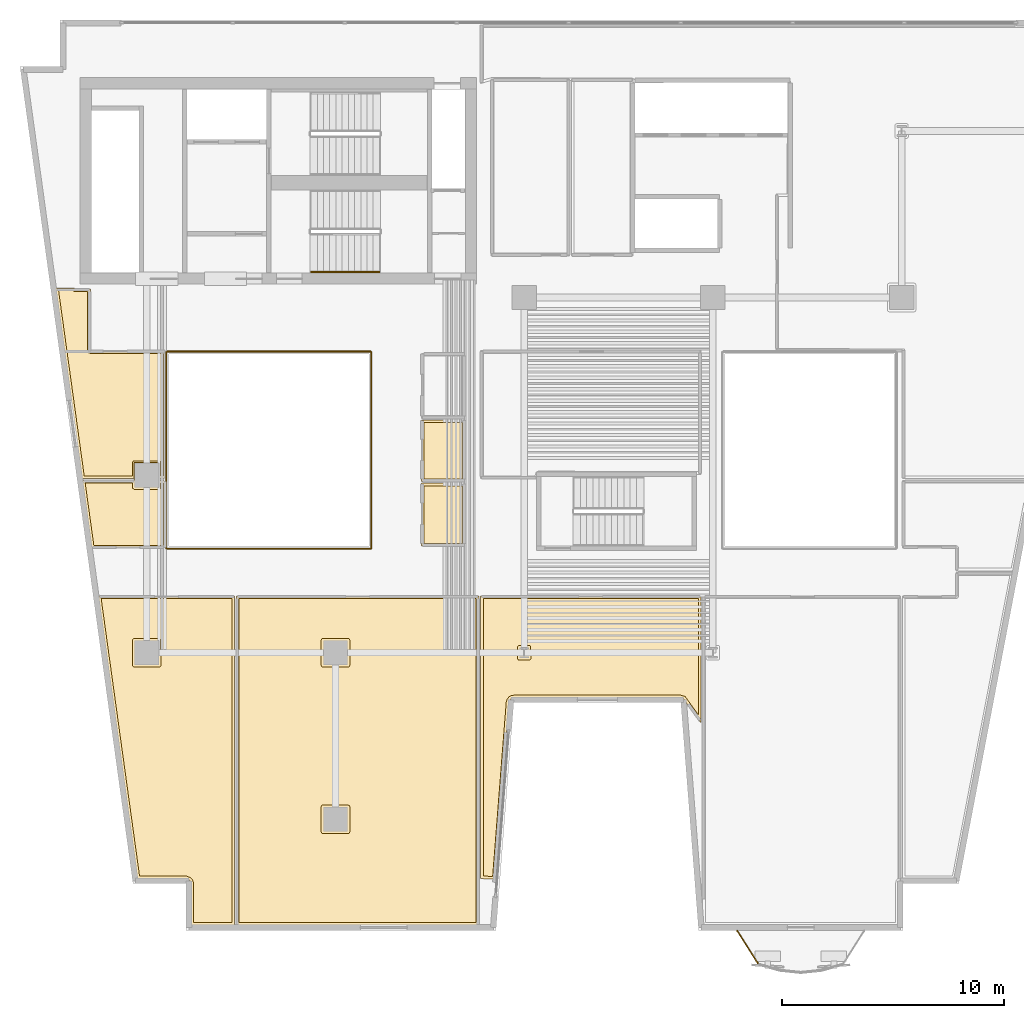
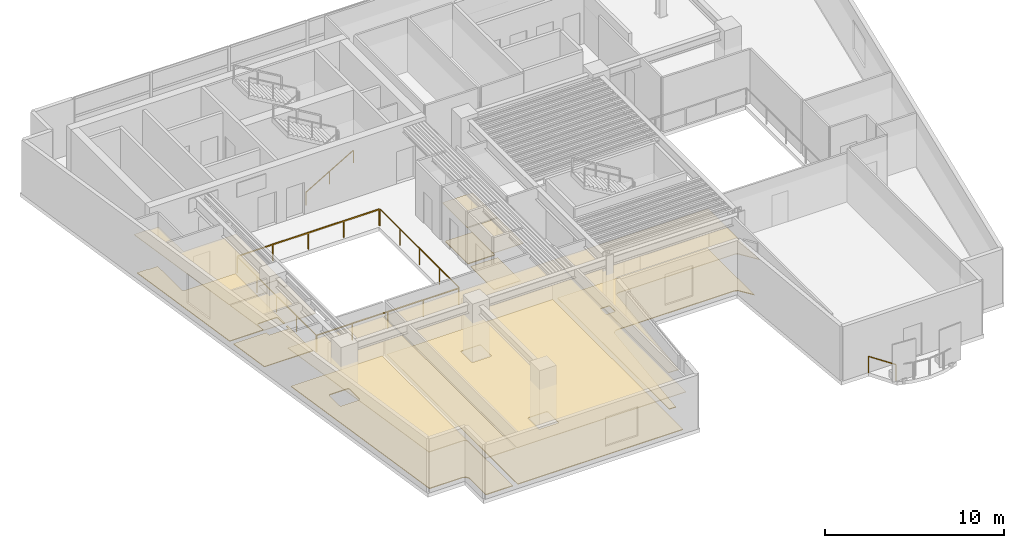
# One storey, part 9 of 13: 14 coverings, 6 railings.
"""IFC4 building model written with IfcOpenShell, lengths in metres."""

from ifc_helpers import new_model, si_unit, direction, frame, origin, origin_2d, place, context, subcontext, project, spatial, polyline, rectangle, outline, extrude, material, layer, layer_set, type_object, element, save


model = new_model("IFC4")

# Units and contexts
model_context = context("Model", 3, precision=1e-05, world=origin(), true_north=direction((0.0, 1.0)))
body_context = subcontext(model_context, "Body", "Model", "MODEL_VIEW")
ifc_project = project(units=[si_unit("LENGTHUNIT", "METRE"), si_unit("AREAUNIT", "SQUARE_METRE"), si_unit("VOLUMEUNIT", "CUBIC_METRE"), si_unit("PLANEANGLEUNIT", "RADIAN"), si_unit("MASSUNIT", "GRAM", prefix="KILO")], contexts=[model_context])

# Site, building, storey
site_placement = place(None, origin())
site = spatial("IfcSite", under=ifc_project, at=site_placement, CompositionType="ELEMENT")
building_placement = place(site_placement, origin())
building = spatial("IfcBuilding", under=site, at=building_placement, Name="Caeloran Harvest Quay", CompositionType="ELEMENT")
storey_placement = place(building_placement, frame((0.0, 0.0, 127.199951171875)))
storey = spatial("IfcBuildingStorey", under=building, at=storey_placement, Name="L29", CompositionType="ELEMENT", Elevation=127.199951171875)

# Coverings
ifc_material_1 = material(Name="Perforated Mineral-Fibre Acoustic Ceiling Tile", Category="ceiling")
ifc_layer_1 = layer(ifc_material_1, 0.0400390625, Name="Perforated Mineral-Fibre Acoustic Ceiling Tile")
ifc_layer_set_1 = layer_set([ifc_layer_1], Name="Perforated Mineral-Fibre Acoustic Ceiling Tile")
covering_type_1 = type_object("IfcCoveringType", Name="COV-CEILING-ACOUSTIC", PredefinedType="CEILING", material=ifc_layer_set_1)
covering_1_placement = place(storey_placement, frame((0.0, 0.0, 2.60009765625)))
element("IfcCovering", 1, at=covering_1_placement, inside=storey, type_object=covering_type_1, Name="L29 Female Washroom WC Acoustic Ceiling", PredefinedType="CEILING", context=body_context, shape_type="SweptSolid", body=[
    extrude(outline(polyline([(22.840087890625, 22.7099609375), (20.8701171875, 22.7099609375), (20.8701171875, 25.489990234375), (22.840087890625, 25.489990234375), (22.840087890625, 22.7099609375)])), origin(), (0.0, 0.0, 1.0), 0.0400390625),
])
covering_2_placement = place(storey_placement, frame((0.0, 0.0, 2.60009765625)))
element("IfcCovering", 2, at=covering_2_placement, inside=storey, type_object=covering_type_1, Name="L29 Accessible Unisex Washroom WC Acoustic Ceiling", PredefinedType="CEILING", context=body_context, shape_type="SweptSolid", body=[
    extrude(outline(polyline([(22.840087890625, 19.81005859375), (20.8701171875, 19.81005859375), (20.8701171875, 22.639892578125), (22.840087890625, 22.639892578125), (22.840087890625, 19.81005859375)])), origin(), (0.0, 0.0, 1.0), 0.0400390625),
])
covering_3_placement = place(storey_placement, frame((0.0, 0.0, 2.60009765625)))
element("IfcCovering", 3, at=covering_3_placement, inside=storey, type_object=covering_type_1, Name="Precision Agriculture Engineering Office Acoustic Ceiling", PredefinedType="CEILING", context=body_context, shape_type="SweptSolid", body=[
    extrude(outline(polyline([(23.4599609375, 2.719970703125), (12.5400390625, 2.719970703125), (12.5400390625, 17.56005859375), (23.4599609375, 17.56005859375), (23.4599609375, 2.719970703125)])), origin(), (0.0, 0.0, 1.0), 0.0400390625),
])
covering_4_placement = place(storey_placement, frame((0.0, 0.0, 2.60009765625)))
element("IfcCovering", 4, at=covering_4_placement, inside=storey, type_object=covering_type_1, Name="Drone Telemetry Computing Office Acoustic Ceiling", PredefinedType="CEILING", context=body_context, shape_type="SweptSolid", body=[
    extrude(outline(polyline([(10.464111328125, 4.70361328125), (10.373779296875, 4.7939453125), (10.26904296875, 4.820068359375), (8.0712890625, 4.820068359375), (6.309326171875, 17.56005859375), (12.4599609375, 17.56005859375), (12.4599609375, 2.719970703125), (10.489990234375, 2.719970703125), (10.489990234375, 4.59912109375), (10.464111328125, 4.70361328125)])), origin(), (0.0, 0.0, 1.0), 0.0400390625),
])
covering_5_placement = place(storey_placement, frame((0.0, 0.0, 2.60009765625)))
element("IfcCovering", 5, at=covering_5_placement, inside=storey, type_object=covering_type_1, Name="Boardroom and Client Briefing Room Acoustic Ceiling", PredefinedType="CEILING", context=body_context, shape_type="SweptSolid", body=[
    extrude(outline(polyline([(33.4599609375, 11.83740234375), (32.770751953125, 12.79248046875), (32.726806640625, 12.887451171875), (32.659912109375, 12.943359375), (32.576904296875, 12.968994140625), (25.031005859375, 12.969970703125), (24.90625, 12.931884765625), (24.83447265625, 12.850830078125), (24.810546875, 12.76611328125), (24.18896484375, 4.801025390625), (23.5400390625, 4.826416015625), (23.5400390625, 17.56005859375), (33.4599609375, 17.56005859375), (33.4599609375, 11.83740234375)])), origin(), (0.0, 0.0, 1.0), 0.0400390625),
])
covering_6_placement = place(storey_placement, frame((0.0, 0.0, 2.60009765625)))
element("IfcCovering", 6, at=covering_6_placement, inside=storey, type_object=covering_type_1, Name="Staff Espresso Kitchen Acoustic Ceiling", PredefinedType="CEILING", context=body_context, shape_type="SweptSolid", body=[
    extrude(outline(polyline([(9.360107421875, 22.760009765625), (9.360107421875, 19.7099609375), (6.01220703125, 19.7099609375), (5.59033203125, 22.760009765625), (7.929931640625, 22.760009765625), (7.929931640625, 23.570068359375), (9.070068359375, 23.570068359375), (9.070068359375, 22.760009765625), (9.360107421875, 22.760009765625)])), origin(), (0.0, 0.0, 1.0), 0.0400390625),
])
covering_7_placement = place(storey_placement, frame((0.0, 0.0, 2.60009765625)))
element("IfcCovering", 7, at=covering_7_placement, inside=storey, type_object=covering_type_1, Name="Precision Agriculture Engineering Office 9 Acoustic Ceiling", PredefinedType="CEILING", context=body_context, shape_type="SweptSolid", body=[
    extrude(outline(polyline([(9.070068359375, 22.429931640625), (7.929931640625, 22.429931640625), (7.929931640625, 22.840087890625), (5.5791015625, 22.840087890625), (4.391357421875, 31.429931640625), (5.214599609375, 31.429931640625), (5.260009765625, 31.408447265625), (5.260009765625, 31.389892578125), (5.9599609375, 31.389892578125), (5.9599609375, 28.610107421875), (9.360107421875, 28.610107421875), (9.360107421875, 22.840087890625), (9.070068359375, 22.840087890625), (9.070068359375, 22.429931640625)])), origin(), (0.0, 0.0, 1.0), 0.0400390625),
])
ifc_material_2 = material(Name="Calcium-Sulphate Raised Access Floor and Terrazzo Finish", Category="flooring")
ifc_layer_2 = layer(ifc_material_2, 0.050048828125, Name="Calcium-Sulphate Raised Access Floor and Terrazzo Finish")
ifc_layer_set_2 = layer_set([ifc_layer_2], Name="Calcium-Sulphate Raised Access Floor and Terrazzo Finish")
covering_type_2 = type_object("IfcCoveringType", Name="COV-FLOOR-RAISED", PredefinedType="FLOORING", material=ifc_layer_set_2)
covering_8_placement = place(storey_placement, origin())
element("IfcCovering", 8, at=covering_8_placement, inside=storey, type_object=covering_type_2, Name="L29 Female Washroom WC Raised Finish Flooring", PredefinedType="FLOORING", context=body_context, shape_type="SweptSolid", body=[
    extrude(outline(polyline([(22.719970703125, 22.830078125), (20.989990234375, 22.830078125), (20.989990234375, 25.3701171875), (22.719970703125, 25.3701171875), (22.719970703125, 22.830078125)])), origin(), (0.0, 0.0, 1.0), 0.050048828125),
])
covering_9_placement = place(storey_placement, origin())
element("IfcCovering", 9, at=covering_9_placement, inside=storey, type_object=covering_type_2, Name="L29 Accessible Unisex Washroom WC Raised Finish Flooring", PredefinedType="FLOORING", context=body_context, shape_type="SweptSolid", body=[
    extrude(outline(polyline([(22.719970703125, 19.929931640625), (20.989990234375, 19.929931640625), (20.989990234375, 22.52001953125), (22.719970703125, 22.52001953125), (22.719970703125, 19.929931640625)])), origin(), (0.0, 0.0, 1.0), 0.050048828125),
])
covering_10_placement = place(storey_placement, origin())
element("IfcCovering", 10, at=covering_10_placement, inside=storey, type_object=covering_type_2, Name="Precision Agriculture Engineering Office Raised Finish Flooring", PredefinedType="FLOORING", context=body_context, shape_type="SweptSolid", body=[
    extrude(outline(polyline([(12.659912109375, 17.43994140625), (23.340087890625, 17.43994140625), (23.340087890625, 2.840087890625), (12.659912109375, 2.840087890625), (12.659912109375, 17.43994140625)]), holes=[polyline([(16.43505859375, 8.14501953125), (16.37841796875, 8.12158203125), (16.35498046875, 8.06494140625), (16.35498046875, 6.93505859375), (16.37841796875, 6.87841796875), (16.43505859375, 6.85498046875), (17.56494140625, 6.85498046875), (17.62158203125, 6.87841796875), (17.64501953125, 6.93505859375), (17.64501953125, 8.06494140625), (17.62158203125, 8.12158203125), (17.56494140625, 8.14501953125), (16.43505859375, 8.14501953125)]), polyline([(16.43505859375, 15.64501953125), (16.37841796875, 15.62158203125), (16.35498046875, 15.56494140625), (16.35498046875, 14.43505859375), (16.37841796875, 14.37841796875), (16.43505859375, 14.35498046875), (17.56494140625, 14.35498046875), (17.62158203125, 14.37841796875), (17.64501953125, 14.43505859375), (17.64501953125, 15.56494140625), (17.62158203125, 15.62158203125), (17.56494140625, 15.64501953125), (16.43505859375, 15.64501953125)])]), origin(), (0.0, 0.0, 1.0), 0.050048828125),
])
covering_11_placement = place(storey_placement, origin())
element("IfcCovering", 11, at=covering_11_placement, inside=storey, type_object=covering_type_2, Name="Drone Telemetry Computing Office Raised Finish Flooring", PredefinedType="FLOORING", context=body_context, shape_type="SweptSolid", body=[
    extrude(outline(polyline([(10.58544921875, 4.726318359375), (10.482666015625, 4.865234375), (10.29931640625, 4.938720703125), (8.17578125, 4.93994140625), (6.447021484375, 17.43994140625), (12.340087890625, 17.43994140625), (12.340087890625, 2.840087890625), (10.610107421875, 2.840087890625), (10.610107421875, 4.60009765625), (10.58544921875, 4.726318359375)]), holes=[polyline([(7.93505859375, 15.64501953125), (7.87841796875, 15.62158203125), (7.85498046875, 15.56494140625), (7.85498046875, 14.43505859375), (7.87841796875, 14.37841796875), (7.93505859375, 14.35498046875), (9.06494140625, 14.35498046875), (9.12158203125, 14.37841796875), (9.14501953125, 14.43505859375), (9.14501953125, 15.56494140625), (9.12158203125, 15.62158203125), (9.06494140625, 15.64501953125), (7.93505859375, 15.64501953125)])]), origin(), (0.0, 0.0, 1.0), 0.050048828125),
])
covering_12_placement = place(storey_placement, origin())
element("IfcCovering", 12, at=covering_12_placement, inside=storey, type_object=covering_type_2, Name="Boardroom and Client Briefing Room Raised Finish Flooring", PredefinedType="FLOORING", context=body_context, shape_type="SweptSolid", body=[
    extrude(outline(polyline([(33.340087890625, 12.208740234375), (32.74951171875, 13.02880859375), (32.554931640625, 13.090087890625), (25.030029296875, 13.090087890625), (24.90185546875, 13.06494140625), (24.808837890625, 13.008056640625), (24.72607421875, 12.902099609375), (24.69091796875, 12.776611328125), (24.078369140625, 4.925537109375), (23.659912109375, 4.94189453125), (23.659912109375, 17.43994140625), (33.340087890625, 17.43994140625), (33.340087890625, 12.208740234375)]), holes=[polyline([(25.806884765625, 14.748046875), (25.788818359375, 15.302734375), (25.73486328125, 15.33154296875), (25.27294921875, 15.33203125), (25.21630859375, 15.30859375), (25.193115234375, 15.251953125), (25.193115234375, 14.748046875), (25.21630859375, 14.69140625), (25.27294921875, 14.66796875), (25.72705078125, 14.66796875), (25.78369140625, 14.69140625), (25.806884765625, 14.748046875)])]), origin(), (0.0, 0.0, 1.0), 0.050048828125),
])
covering_13_placement = place(storey_placement, origin())
element("IfcCovering", 13, at=covering_13_placement, inside=storey, type_object=covering_type_2, Name="Staff Espresso Kitchen Raised Finish Flooring", PredefinedType="FLOORING", context=body_context, shape_type="SweptSolid", body=[
    extrude(outline(polyline([(7.85498046875, 22.639892578125), (7.8583984375, 22.411865234375), (7.93505859375, 22.35498046875), (9.08056640625, 22.3564453125), (9.1435546875, 22.41943359375), (9.14501953125, 22.639892578125), (9.239990234375, 22.639892578125), (9.239990234375, 19.830078125), (6.11669921875, 19.830078125), (5.72802734375, 22.639892578125), (7.85498046875, 22.639892578125)])), origin(), (0.0, 0.0, 1.0), 0.050048828125),
])
covering_14_placement = place(storey_placement, origin())
element("IfcCovering", 14, at=covering_14_placement, inside=storey, type_object=covering_type_2, Name="Precision Agriculture Engineering Office 9 Raised Finish Flooring", PredefinedType="FLOORING", context=body_context, shape_type="SweptSolid", body=[
    extrude(outline(polyline([(5.165283203125, 31.31005859375), (5.2431640625, 31.270263671875), (5.840087890625, 31.27001953125), (5.840087890625, 28.60009765625), (5.8857421875, 28.5107421875), (5.949951171875, 28.489990234375), (9.239990234375, 28.489990234375), (9.239990234375, 22.9599609375), (9.14501953125, 22.9599609375), (9.14453125, 23.57275390625), (9.11572265625, 23.626708984375), (9.06494140625, 23.64501953125), (7.897216796875, 23.635498046875), (7.85546875, 23.57275390625), (7.85498046875, 22.9599609375), (5.683837890625, 22.9599609375), (4.529052734375, 31.31005859375), (5.165283203125, 31.31005859375)])), origin(), (0.0, 0.0, 1.0), 0.050048828125),
])

# Railings
ifc_material_3 = material(Name="Powder-Coated Steel Post and Laminated Glass Guardrail", Category="steel")
ifc_layer_3 = layer(ifc_material_3, 0.06005859375, Name="Powder-Coated Steel Post and Laminated Glass Guardrail")
ifc_layer_set_3 = layer_set([ifc_layer_3], Name="Powder-Coated Steel Post and Laminated Glass Guardrail")
railing_type_1 = type_object("IfcRailingType", Name="GUARD-ATRIUM-1150", PredefinedType="GUARDRAIL", material=ifc_layer_set_3)
railing_1_placement = place(storey_placement, frame((9.412109375, 19.679931640625, 0.0)))
element("IfcRailing", 15, at=railing_1_placement, inside=storey, type_object=railing_type_1, Name="L29 Skylit Atrium Void Perimeter Guardrail Seg 1", PredefinedType="GUARDRAIL", context=body_context, shape_type="SweptSolid", body=[
    extrude(rectangle(XDim=0.048095703125, YDim=0.048095703125, at=origin_2d()), frame((0.0, 0.0, 1.1259765625), z_axis=(1.0, 0.0, 0.0), x_axis=(0.0, 1.0, 0.0)), (0.0, 0.0, 1.0), 9.17578125),
    extrude(rectangle(XDim=0.0419921875, YDim=0.0419921875, at=origin_2d()), origin(), (0.0, 0.0, 1.0), 1.101806640625),
    extrude(rectangle(XDim=0.0419921875, YDim=0.0419921875, at=origin_2d()), frame((2.2939453125, 0.0, 0.0)), (0.0, 0.0, 1.0), 1.101806640625),
    extrude(rectangle(XDim=0.0419921875, YDim=0.0419921875, at=origin_2d()), frame((4.587890625, 0.0, 0.0)), (0.0, 0.0, 1.0), 1.101806640625),
    extrude(rectangle(XDim=0.0419921875, YDim=0.0419921875, at=origin_2d()), frame((6.8818359375, 0.0, 0.0)), (0.0, 0.0, 1.0), 1.101806640625),
    extrude(rectangle(XDim=0.0419921875, YDim=0.0419921875, at=origin_2d()), frame((9.17578125, 0.0, 0.0)), (0.0, 0.0, 1.0), 1.101806640625),
])
railing_2_placement = place(storey_placement, frame((18.6201171875, 19.7119140625, 0.0)))
element("IfcRailing", 16, at=railing_2_placement, inside=storey, type_object=railing_type_1, Name="L29 Skylit Atrium Void Perimeter Guardrail Seg 2", PredefinedType="GUARDRAIL", context=body_context, shape_type="SweptSolid", body=[
    extrude(rectangle(XDim=0.048095703125, YDim=0.048095703125, at=origin_2d()), frame((0.0, 0.0, 1.1259765625), z_axis=(0.0, 1.0, 0.0), x_axis=(-1.0, 0.0, 0.0)), (0.0, 0.0, 1.0), 8.826171875),
    extrude(rectangle(XDim=0.0419921875, YDim=0.0419921875, at=origin_2d()), origin(), (0.0, 0.0, 1.0), 1.101806640625),
    extrude(rectangle(XDim=0.0419921875, YDim=0.0419921875, at=origin_2d()), frame((0.0, 2.20654296875, 0.0)), (0.0, 0.0, 1.0), 1.101806640625),
    extrude(rectangle(XDim=0.0419921875, YDim=0.0419921875, at=origin_2d()), frame((0.0, 4.4130859375, 0.0)), (0.0, 0.0, 1.0), 1.101806640625),
    extrude(rectangle(XDim=0.0419921875, YDim=0.0419921875, at=origin_2d()), frame((0.0, 6.61962890625, 0.0)), (0.0, 0.0, 1.0), 1.101806640625),
    extrude(rectangle(XDim=0.0419921875, YDim=0.0419921875, at=origin_2d()), frame((0.0, 8.826171875, 0.0)), (0.0, 0.0, 1.0), 1.101806640625),
])
railing_3_placement = place(storey_placement, frame((18.587890625, 28.570068359375, 0.0)))
element("IfcRailing", 17, at=railing_3_placement, inside=storey, type_object=railing_type_1, Name="L29 Skylit Atrium Void Perimeter Guardrail Seg 3", PredefinedType="GUARDRAIL", context=body_context, shape_type="SweptSolid", body=[
    extrude(rectangle(XDim=0.048095703125, YDim=0.048095703125, at=origin_2d()), frame((0.0, 0.0, 1.1259765625), z_axis=(-1.0, 0.0, 0.0), x_axis=(0.0, -1.0, 0.0)), (0.0, 0.0, 1.0), 9.17578125),
    extrude(rectangle(XDim=0.0419921875, YDim=0.0419921875, at=origin_2d()), origin(), (0.0, 0.0, 1.0), 1.101806640625),
    extrude(rectangle(XDim=0.0419921875, YDim=0.0419921875, at=origin_2d()), frame((-2.2939453125, 0.0, 0.0)), (0.0, 0.0, 1.0), 1.101806640625),
    extrude(rectangle(XDim=0.0419921875, YDim=0.0419921875, at=origin_2d()), frame((-4.587890625, 0.0, 0.0)), (0.0, 0.0, 1.0), 1.101806640625),
    extrude(rectangle(XDim=0.0419921875, YDim=0.0419921875, at=origin_2d()), frame((-6.8818359375, 0.0, 0.0)), (0.0, 0.0, 1.0), 1.101806640625),
    extrude(rectangle(XDim=0.0419921875, YDim=0.0419921875, at=origin_2d()), frame((-9.17578125, 0.0, 0.0)), (0.0, 0.0, 1.0), 1.101806640625),
])
railing_4_placement = place(storey_placement, frame((9.3798828125, 28.5380859375, 0.0)))
element("IfcRailing", 18, at=railing_4_placement, inside=storey, type_object=railing_type_1, Name="L29 Skylit Atrium Void Perimeter Guardrail Seg 4", PredefinedType="GUARDRAIL", context=body_context, shape_type="SweptSolid", body=[
    extrude(rectangle(XDim=0.048095703125, YDim=0.048095703125, at=origin_2d()), frame((0.0, 0.0, 1.1259765625), z_axis=(0.0, -1.0, 0.0), x_axis=(1.0, 0.0, 0.0)), (0.0, 0.0, 1.0), 8.826171875),
    extrude(rectangle(XDim=0.0419921875, YDim=0.0419921875, at=origin_2d()), origin(), (0.0, 0.0, 1.0), 1.101806640625),
    extrude(rectangle(XDim=0.0419921875, YDim=0.0419921875, at=origin_2d()), frame((0.0, -2.20654296875, 0.0)), (0.0, 0.0, 1.0), 1.101806640625),
    extrude(rectangle(XDim=0.0419921875, YDim=0.0419921875, at=origin_2d()), frame((0.0, -4.4130859375, 0.0)), (0.0, 0.0, 1.0), 1.101806640625),
    extrude(rectangle(XDim=0.0419921875, YDim=0.0419921875, at=origin_2d()), frame((0.0, -6.61962890625, 0.0)), (0.0, 0.0, 1.0), 1.101806640625),
    extrude(rectangle(XDim=0.0419921875, YDim=0.0419921875, at=origin_2d()), frame((0.0, -8.826171875, 0.0)), (0.0, 0.0, 1.0), 1.101806640625),
])
ifc_material_4 = material(Name="Laminated Safety Glass and Stainless Steel 316", Category="steel")
ifc_layer_4 = layer(ifc_material_4, 0.06005859375, Name="Laminated Safety Glass and Stainless Steel 316")
ifc_layer_set_4 = layer_set([ifc_layer_4], Name="Laminated Safety Glass and Stainless Steel 316")
railing_type_2 = type_object("IfcRailingType", Name="GUARD-BALUSTRADE-1150", PredefinedType="BALUSTRADE", material=ifc_layer_set_4)
railing_5_placement = place(storey_placement, frame((36.02783203125, 1.01416015625, 0.0)))
element("IfcRailing", 19, at=railing_5_placement, inside=storey, type_object=railing_type_2, Name="L29 Planted Balcony Perimeter Balustrade Guard Seg 6", PredefinedType="BALUSTRADE", context=body_context, shape_type="SweptSolid", body=[
    extrude(rectangle(XDim=0.048095703125, YDim=0.048095703125, at=origin_2d()), frame((0.0, 0.0, 1.1259765625), z_axis=(-0.539296460879, 0.842115982085, 0.0), x_axis=(-0.842115982085, -0.539296460879, 0.0)), (0.0, 0.0, 1.0), 1.74072265625),
    extrude(rectangle(XDim=0.0419921875, YDim=0.0419921875, at=origin_2d()), origin(), (0.0, 0.0, 1.0), 1.101806640625),
    extrude(rectangle(XDim=0.0419921875, YDim=0.0419921875, at=origin_2d()), frame((-0.938720703125, 1.4658203125, 0.0)), (0.0, 0.0, 1.0), 1.101806640625),
])
ifc_material_5 = material(Name="Brushed Stainless Steel Grade 304", Category="steel")
ifc_layer_5 = layer(ifc_material_5, 0.050048828125, Name="Brushed Stainless Steel Grade 304")
ifc_layer_set_5 = layer_set([ifc_layer_5], Name="Brushed Stainless Steel Grade 304")
railing_type_3 = type_object("IfcRailingType", Name="STAIR-HANDRAIL-900", PredefinedType="HANDRAIL", material=ifc_layer_set_5)
railing_6_placement = place(storey_placement, frame((15.89990234375, 32.14990234375, 0.16455078125)))
element("IfcRailing", 20, at=railing_6_placement, inside=storey, type_object=railing_type_3, Name="L29 ST-C2 stair handrail 1", PredefinedType="HANDRAIL", context=body_context, shape_type="SweptSolid", body=[
    extrude(rectangle(XDim=0.048095703125, YDim=0.048095703125, at=origin_2d()), frame((0.0, 0.0, 0.8759765625), z_axis=(0.862088758681, 0.0, 0.506757310905), x_axis=(0.0, 1.0, 0.0)), (0.0, 0.0, 1.0), 3.57275390625),
    extrude(rectangle(XDim=0.0419921875, YDim=0.0419921875, at=origin_2d()), origin(), (0.0, 0.0, 1.0), 0.851806640625),
    extrude(rectangle(XDim=0.0419921875, YDim=0.0419921875, at=origin_2d()), frame((1.5400390625, 0.0, 0.9052734375)), (0.0, 0.0, 1.0), 0.851806640625),
    extrude(rectangle(XDim=0.0419921875, YDim=0.0419921875, at=origin_2d()), frame((3.080078125, 0.0, 1.810546875)), (0.0, 0.0, 1.0), 0.851806640625),
])

save(model, "model.ifc")
